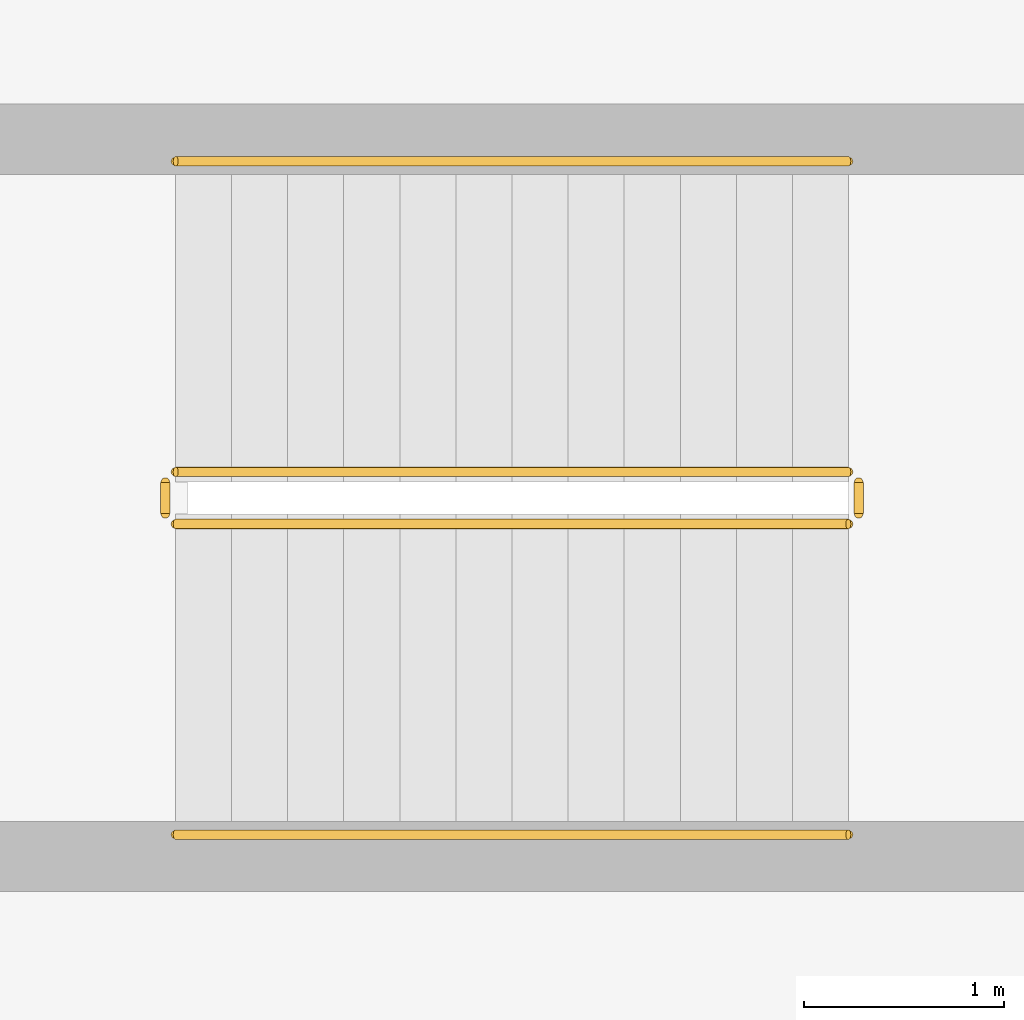
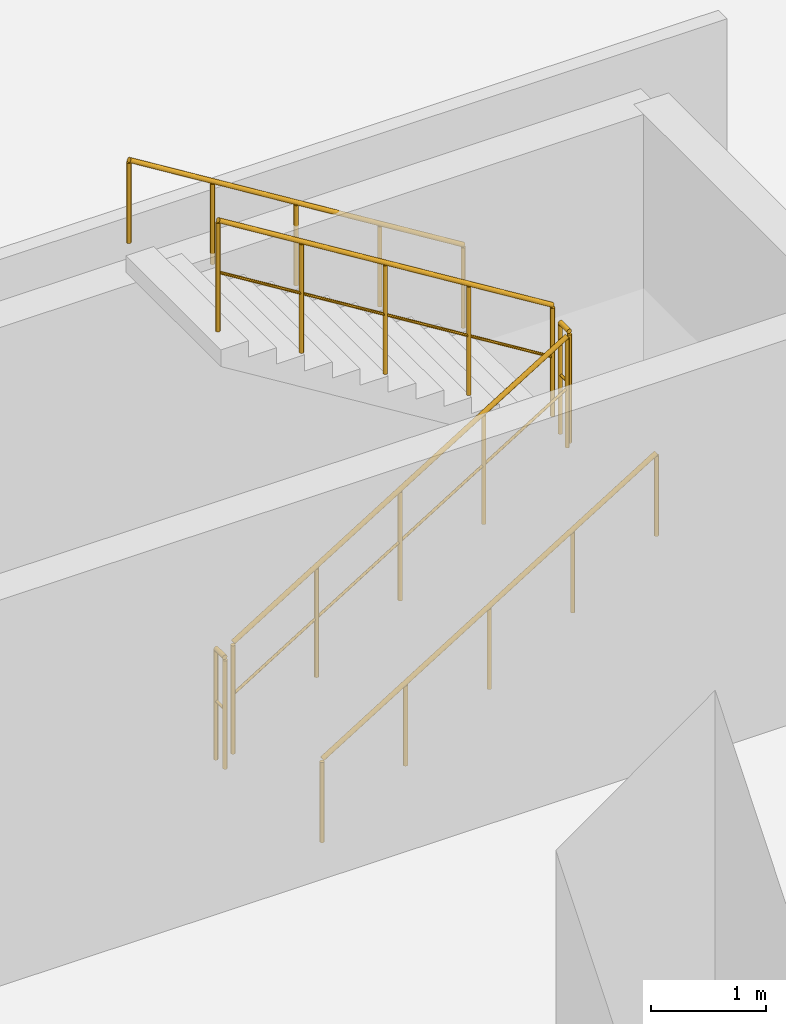
# One storey, part 23 of 23: 6 railings.
"""IFC4 building model written with IfcOpenShell, lengths in metres."""

from ifc_helpers import new_model, si_unit, direction, frame, origin, origin_2d, place, context, subcontext, project, spatial, circle, extrude, material, type_object, element, save


model = new_model("IFC4")

# Units and contexts
model_context = context("Model", 3, precision=1e-05, world=origin(), true_north=direction((0.0, 1.0)))
body_context = subcontext(model_context, "Body", "Model", "MODEL_VIEW")
ifc_project = project(units=[si_unit("LENGTHUNIT", "METRE"), si_unit("AREAUNIT", "SQUARE_METRE"), si_unit("VOLUMEUNIT", "CUBIC_METRE"), si_unit("PLANEANGLEUNIT", "RADIAN"), si_unit("MASSUNIT", "GRAM", prefix="KILO")], contexts=[model_context])

# Site, building, storey
site_placement = place(None, origin())
site = spatial("IfcSite", under=ifc_project, at=site_placement, CompositionType="ELEMENT")
building_placement = place(site_placement, origin())
building = spatial("IfcBuilding", under=site, at=building_placement, Name="Sahyath Konkavel Grand Hotel", CompositionType="ELEMENT")
storey_placement = place(building_placement, frame((0.0, 0.0, 4.800048828125)))
storey = spatial("IfcBuildingStorey", under=building, at=storey_placement, Name="L01", CompositionType="ELEMENT", Elevation=4.800048828125)

# Railings
ifc_material_1 = material(Name="Steel E350", Category="steel")
railing_type_1 = type_object("IfcRailingType", Name="RLG-STAIR-GRD", PredefinedType="GUARDRAIL", material=ifc_material_1)
railing_1_placement = place(storey_placement, frame((21.2900390625, 12.179931640625, 0.173095703125)))
element("IfcRailing", 1, at=railing_1_placement, inside=storey, type_object=railing_type_1, Name="L01 ST-P2 stair guard 1", PredefinedType="GUARDRAIL", context=body_context, shape_type="SweptSolid", body=[
    extrude(circle(Radius=0.02392578125, at=origin_2d()), frame((0.001708984375, 0.0, 1.177001953125), z_axis=(0.850606129759, 0.0, 0.525803396734), x_axis=(0.0, 1.0, 0.0)), (0.0, 0.0, 1.0), 3.946044921875),
    extrude(circle(Radius=0.01416015625, at=origin_2d()), frame((0.001708984375, 0.0, 0.625), z_axis=(0.850606129759, 0.0, 0.525803396734), x_axis=(0.0, 1.0, 0.0)), (0.0, 0.0, 1.0), 3.946044921875),
    extrude(circle(Radius=0.02099609375, at=origin_2d()), origin(), (0.0, 0.0, 1.0), 1.15185546875),
    extrude(circle(Radius=0.02099609375, at=origin_2d()), frame((0.83984375, 0.0, 0.519287109375)), (0.0, 0.0, 1.0), 1.15185546875),
    extrude(circle(Radius=0.02099609375, at=origin_2d()), frame((1.679931640625, 0.0, 1.03857421875)), (0.0, 0.0, 1.0), 1.15185546875),
    extrude(circle(Radius=0.02099609375, at=origin_2d()), frame((2.52001953125, 0.0, 1.5576171875)), (0.0, 0.0, 1.0), 1.15185546875),
    extrude(circle(Radius=0.02099609375, at=origin_2d()), frame((3.35986328125, 0.0, 2.076904296875)), (0.0, 0.0, 1.0), 1.15185546875),
])
railing_2_placement = place(storey_placement, frame((24.699951171875, 12.22998046875, 2.25)))
element("IfcRailing", 2, at=railing_2_placement, inside=storey, type_object=railing_type_1, Name="L01 ST-P2 stair guard 2", PredefinedType="GUARDRAIL", context=body_context, shape_type="SweptSolid", body=[
    extrude(circle(Radius=0.02392578125, at=origin_2d()), frame((0.0, 0.001953125, 1.17578125), z_axis=(0.0, 1.0, 0.0), x_axis=(-1.0, 0.0, 0.0)), (0.0, 0.0, 1.0), 0.156005859375),
    extrude(circle(Radius=0.01416015625, at=origin_2d()), frame((0.0, 0.001953125, 0.6240234375), z_axis=(0.0, 1.0, 0.0), x_axis=(-1.0, 0.0, 0.0)), (0.0, 0.0, 1.0), 0.156005859375),
    extrude(circle(Radius=0.02099609375, at=origin_2d()), origin(), (0.0, 0.0, 1.0), 1.15185546875),
    extrude(circle(Radius=0.02099609375, at=origin_2d()), frame((0.0, 0.159912109375, 0.0)), (0.0, 0.0, 1.0), 1.15185546875),
])
railing_3_placement = place(storey_placement, frame((24.64990234375, 12.43994140625, 2.423095703125)))
element("IfcRailing", 3, at=railing_3_placement, inside=storey, type_object=railing_type_1, Name="L01 ST-P2 stair guard 3", PredefinedType="GUARDRAIL", context=body_context, shape_type="SweptSolid", body=[
    extrude(circle(Radius=0.02392578125, at=origin_2d()), frame((-0.001708984375, 0.0, 1.177001953125), z_axis=(-0.850606129759, 0.0, 0.525803396734), x_axis=(0.0, -1.0, 0.0)), (0.0, 0.0, 1.0), 3.946044921875),
    extrude(circle(Radius=0.01416015625, at=origin_2d()), frame((-0.001708984375, 0.0, 0.625), z_axis=(-0.850606129759, 0.0, 0.525803396734), x_axis=(0.0, -1.0, 0.0)), (0.0, 0.0, 1.0), 3.946044921875),
    extrude(circle(Radius=0.02099609375, at=origin_2d()), origin(), (0.0, 0.0, 1.0), 1.15185546875),
    extrude(circle(Radius=0.02099609375, at=origin_2d()), frame((-0.83984375, 0.0, 0.519287109375)), (0.0, 0.0, 1.0), 1.15185546875),
    extrude(circle(Radius=0.02099609375, at=origin_2d()), frame((-1.679931640625, 0.0, 1.03857421875)), (0.0, 0.0, 1.0), 1.15185546875),
    extrude(circle(Radius=0.02099609375, at=origin_2d()), frame((-2.52001953125, 0.0, 1.5576171875)), (0.0, 0.0, 1.0), 1.15185546875),
    extrude(circle(Radius=0.02099609375, at=origin_2d()), frame((-3.35986328125, 0.0, 2.076904296875)), (0.0, 0.0, 1.0), 1.15185546875),
])
railing_4_placement = place(storey_placement, frame((21.239990234375, 12.22998046875, 0.0)))
element("IfcRailing", 4, at=railing_4_placement, inside=storey, type_object=railing_type_1, Name="L01 ST-P2 stair guard 4", PredefinedType="GUARDRAIL", context=body_context, shape_type="SweptSolid", body=[
    extrude(circle(Radius=0.02392578125, at=origin_2d()), frame((0.0, 0.001953125, 1.17578125), z_axis=(0.0, 1.0, 0.0), x_axis=(-1.0, 0.0, 0.0)), (0.0, 0.0, 1.0), 0.156005859375),
    extrude(circle(Radius=0.01416015625, at=origin_2d()), frame((0.0, 0.001953125, 0.6240234375), z_axis=(0.0, 1.0, 0.0), x_axis=(-1.0, 0.0, 0.0)), (0.0, 0.0, 1.0), 0.156005859375),
    extrude(circle(Radius=0.02099609375, at=origin_2d()), origin(), (0.0, 0.0, 1.0), 1.15185546875),
    extrude(circle(Radius=0.02099609375, at=origin_2d()), frame((0.0, 0.159912109375, 0.0)), (0.0, 0.0, 1.0), 1.15185546875),
])
ifc_material_2 = material(Name="Anodised Bronze Aluminium", Category="aluminium")
railing_type_2 = type_object("IfcRailingType", Name="RLG-STAIR-HND", PredefinedType="HANDRAIL", material=ifc_material_2)
railing_5_placement = place(storey_placement, frame((21.2900390625, 10.6298828125, 0.173095703125)))
element("IfcRailing", 5, at=railing_5_placement, inside=storey, type_object=railing_type_2, Name="L01 ST-P2 stair handrail 1", PredefinedType="HANDRAIL", context=body_context, shape_type="SweptSolid", body=[
    extrude(circle(Radius=0.02392578125, at=origin_2d()), frame((0.001708984375, 0.0, 0.876953125), z_axis=(0.850606129759, 0.0, 0.525803396734), x_axis=(0.0, 1.0, 0.0)), (0.0, 0.0, 1.0), 3.946044921875),
    extrude(circle(Radius=0.02099609375, at=origin_2d()), origin(), (0.0, 0.0, 1.0), 0.851806640625),
    extrude(circle(Radius=0.02099609375, at=origin_2d()), frame((0.83984375, 0.0, 0.519287109375)), (0.0, 0.0, 1.0), 0.851806640625),
    extrude(circle(Radius=0.02099609375, at=origin_2d()), frame((1.679931640625, 0.0, 1.03857421875)), (0.0, 0.0, 1.0), 0.851806640625),
    extrude(circle(Radius=0.02099609375, at=origin_2d()), frame((2.52001953125, 0.0, 1.5576171875)), (0.0, 0.0, 1.0), 0.851806640625),
    extrude(circle(Radius=0.02099609375, at=origin_2d()), frame((3.35986328125, 0.0, 2.076904296875)), (0.0, 0.0, 1.0), 0.851806640625),
])
railing_6_placement = place(storey_placement, frame((24.64990234375, 13.989990234375, 2.423095703125)))
element("IfcRailing", 6, at=railing_6_placement, inside=storey, type_object=railing_type_2, Name="L01 ST-P2 stair handrail 2", PredefinedType="HANDRAIL", context=body_context, shape_type="SweptSolid", body=[
    extrude(circle(Radius=0.02392578125, at=origin_2d()), frame((-0.001708984375, 0.0, 0.876953125), z_axis=(-0.850606129759, 0.0, 0.525803396734), x_axis=(0.0, -1.0, 0.0)), (0.0, 0.0, 1.0), 3.946044921875),
    extrude(circle(Radius=0.02099609375, at=origin_2d()), origin(), (0.0, 0.0, 1.0), 0.851806640625),
    extrude(circle(Radius=0.02099609375, at=origin_2d()), frame((-0.83984375, 0.0, 0.519287109375)), (0.0, 0.0, 1.0), 0.851806640625),
    extrude(circle(Radius=0.02099609375, at=origin_2d()), frame((-1.679931640625, 0.0, 1.03857421875)), (0.0, 0.0, 1.0), 0.851806640625),
    extrude(circle(Radius=0.02099609375, at=origin_2d()), frame((-2.52001953125, 0.0, 1.5576171875)), (0.0, 0.0, 1.0), 0.851806640625),
    extrude(circle(Radius=0.02099609375, at=origin_2d()), frame((-3.35986328125, 0.0, 2.076904296875)), (0.0, 0.0, 1.0), 0.851806640625),
])

save(model, "model.ifc")
